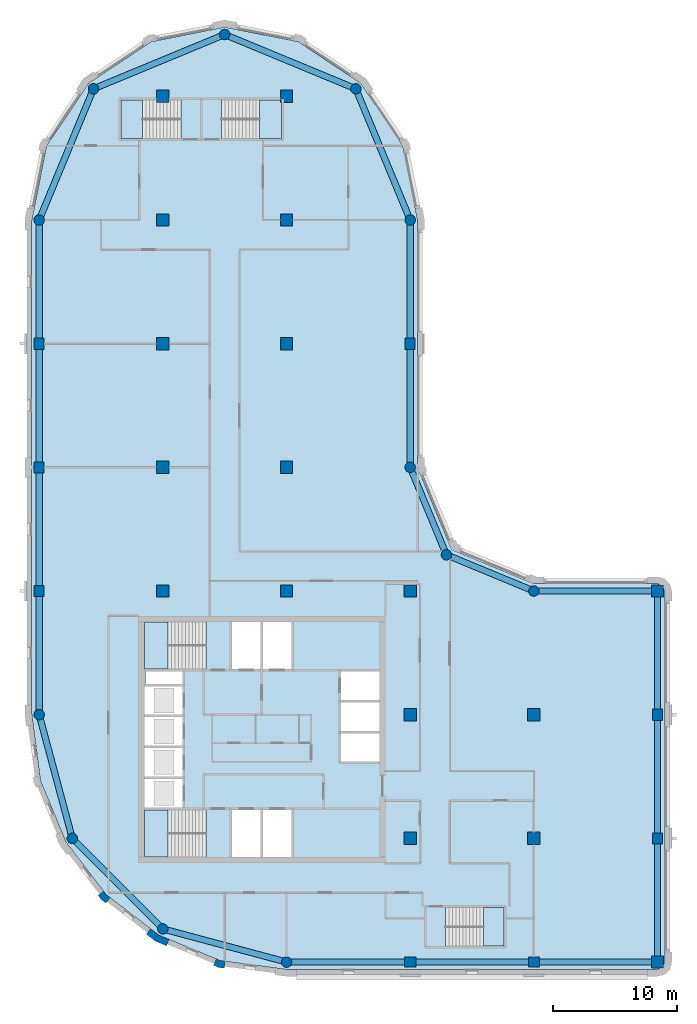
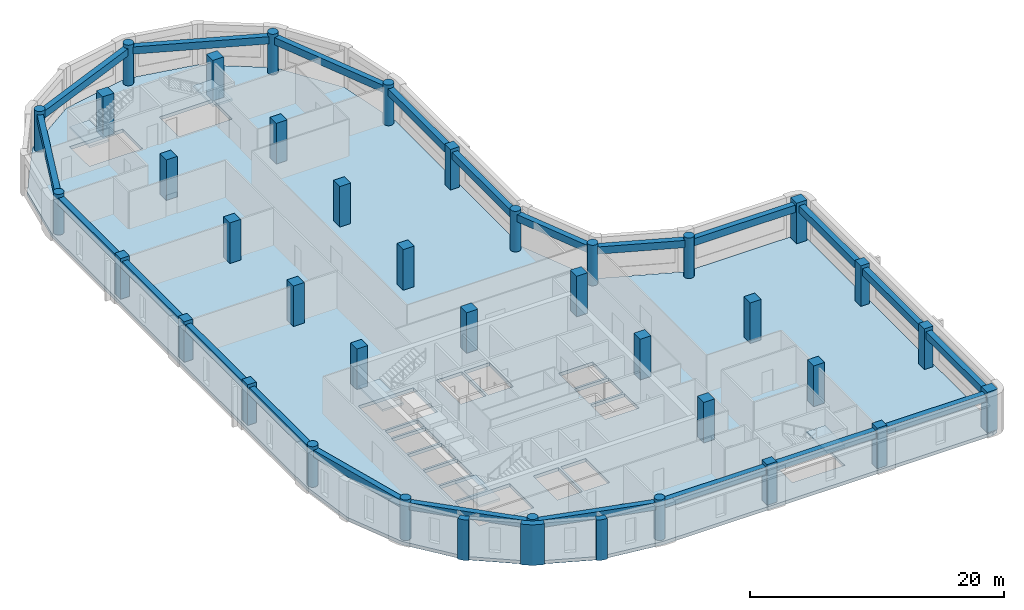
# One storey, part 1 of 9: 37 columns, 22 beams, 6 slabs, 3 walls, 5 elements without a shape of their own.
"""IFC4 building model written with IfcOpenShell, lengths in metres."""

from ifc_helpers import new_model, si_unit, direction, frame, origin, origin_2d, place, context, subcontext, project, spatial, polyline, rectangle, circle, outline, extrude, material, layer, layer_set, material_profile, profile_set, type_object, element, aggregate, save


model = new_model("IFC4")

# Units and contexts
model_context = context("Model", 3, precision=1e-05, world=origin(), true_north=direction((0.0, 1.0)))
body_context = subcontext(model_context, "Body", "Model", "MODEL_VIEW")
ifc_project = project(units=[si_unit("LENGTHUNIT", "METRE"), si_unit("AREAUNIT", "SQUARE_METRE"), si_unit("VOLUMEUNIT", "CUBIC_METRE"), si_unit("PLANEANGLEUNIT", "RADIAN"), si_unit("MASSUNIT", "GRAM", prefix="KILO")], contexts=[model_context])

# Site, building, storey
site_placement = place(None, origin())
site = spatial("IfcSite", under=ifc_project, at=site_placement, CompositionType="ELEMENT")
building_placement = place(site_placement, origin())
building = spatial("IfcBuilding", under=site, at=building_placement, Name="Qaws Garden Tower", CompositionType="ELEMENT")
storey_placement = place(building_placement, frame((0.0, 0.0, 251.39990234375)))
storey = spatial("IfcBuildingStorey", under=building, at=storey_placement, Name="L60", CompositionType="ELEMENT", Elevation=251.39990234375)

# Columns
ifc_material_1 = material(Name="Concrete C60", Category="concrete")
ifc_material_profile_1 = material_profile(ifc_material_1, rectangle(XDim=1.0, YDim=1.0, at=origin_2d()), Name="RC 1000x1000")
ifc_profile_set_1 = profile_set([ifc_material_profile_1], Name="Concrete C60")
column_type_1 = type_object("IfcColumnType", Name="Column RC 1000x1000 C60", PredefinedType="COLUMN", material=ifc_profile_set_1)
for number, where, z_axis, x_axis, name in (
    (1, (10.0, 30.0, 0.0), (0.0, 0.0, 1.0), (1.0, 0.0, 0.0), "Column L60-023"),
    (2, (10.0, 40.0, 0.0), (0.0, 0.0, 1.0), (1.0, 0.0, 0.0), "Column L60-024"),
    (3, (10.0, 50.0, 0.0), (0.0, 0.0, 1.0), (1.0, 0.0, 0.0), "Column L60-025"),
    (4, (10.0, 60.0, 0.0), (0.0, 0.0, 1.0), (1.0, 0.0, 0.0), "Column L60-026"),
    (5, (10.0, 70.0, 0.0), (0.0, 0.0, 1.0), (1.0, 0.0, 0.0), "Column L60-027"),
    (6, (20.0, 30.0, 0.0), (0.0, 0.0, 1.0), (1.0, 0.0, 0.0), "Column L60-028"),
    (7, (20.0, 40.0, 0.0), (0.0, 0.0, 1.0), (1.0, 0.0, 0.0), "Column L60-029"),
    (8, (20.0, 50.0, 0.0), (0.0, 0.0, 1.0), (1.0, 0.0, 0.0), "Column L60-030"),
    (9, (20.0, 60.0, 0.0), (0.0, 0.0, 1.0), (1.0, 0.0, 0.0), "Column L60-031"),
    (10, (20.0, 70.0, 0.0), (0.0, 0.0, 1.0), (1.0, 0.0, 0.0), "Column L60-032"),
    (11, (30.0, 10.0, 0.0), (0.0, 0.0, 1.0), (1.0, 0.0, 0.0), "Column L60-033"),
    (12, (30.0, 20.0, 0.0), (0.0, 0.0, 1.0), (1.0, 0.0, 0.0), "Column L60-034"),
    (13, (30.0, 30.0, 0.0), (0.0, 0.0, 1.0), (1.0, 0.0, 0.0), "Column L60-035"),
    (14, (40.0, 10.0, 0.0), (0.0, 0.0, 1.0), (1.0, 0.0, 0.0), "Column L60-036"),
    (15, (40.0, 20.0, 0.0), (0.0, 0.0, 1.0), (1.0, 0.0, 0.0), "Column L60-037"),
):
    element("IfcColumn", number, at=place(storey_placement, frame(where, z_axis=z_axis, x_axis=x_axis)), inside=storey, type_object=column_type_1, Name=name, PredefinedType="COLUMN", context=body_context, shape_type="SweptSolid", body=[
        extrude(rectangle(XDim=1.0, YDim=1.0, at=origin_2d()), origin(), (0.0, 0.0, 1.0), 3.900146484375),
    ])
ifc_material_2 = material(Name="Concrete C60", Category="concrete")
ifc_material_profile_2 = material_profile(ifc_material_2, rectangle(XDim=0.89990234375, YDim=0.800048828125, at=origin_2d()), Name="RC 900x800")
ifc_profile_set_2 = profile_set([ifc_material_profile_2], Name="Concrete C60")
column_type_2 = type_object("IfcColumnType", Name="Column RC 900x800 C60", PredefinedType="COLUMN", material=ifc_profile_set_2)
for number, where, z_axis, x_axis, name in (
    (16, (30.0, 0.0, 0.0), (0.0, 0.0, 1.0), (1.0, 0.0, 0.0), "Column L60-002"),
    (17, (40.0, 0.0, 0.0), (0.0, 0.0, 1.0), (1.0, 0.0, 0.0), "Column L60-003"),
    (18, (50.0, 10.0, 0.0), (0.0, 0.0, 1.0), (0.0, 1.0, 0.0), "Column L60-005"),
    (19, (50.0, 20.0, 0.0), (0.0, 0.0, 1.0), (0.0, 1.0, 0.0), "Column L60-006"),
    (20, (30.0, 50.0, 0.0), (0.0, 0.0, 1.0), (0.0, 1.0, 0.0), "Column L60-011"),
    (21, (0.0, 50.0, 0.0), (0.0, 0.0, 1.0), (0.0, 1.0, 0.0), "Column L60-017"),
    (22, (0.0, 40.0, 0.0), (0.0, 0.0, 1.0), (0.0, 1.0, 0.0), "Column L60-018"),
    (23, (0.0, 30.0, 0.0), (0.0, 0.0, 1.0), (0.0, 1.0, 0.0), "Column L60-019"),
):
    element("IfcColumn", number, at=place(storey_placement, frame(where, z_axis=z_axis, x_axis=x_axis)), inside=storey, type_object=column_type_2, Name=name, PredefinedType="COLUMN", context=body_context, shape_type="SweptSolid", body=[
        extrude(rectangle(XDim=0.89990234375, YDim=0.800048828125, at=origin_2d()), origin(), (0.0, 0.0, 1.0), 3.900146484375),
    ])
ifc_material_3 = material(Name="Concrete C60", Category="concrete")
ifc_material_profile_3 = material_profile(ifc_material_3, rectangle(XDim=0.949951171875, YDim=0.949951171875, at=origin_2d()), Name="RC 950x950")
ifc_profile_set_3 = profile_set([ifc_material_profile_3], Name="Concrete C60")
column_type_3 = type_object("IfcColumnType", Name="Column RC 950x950 C60", PredefinedType="COLUMN", material=ifc_profile_set_3)
for number, where, z_axis, x_axis, name in (
    (24, (50.0, 0.0, 0.0), (0.0, 0.0, 1.0), (1.0, 0.0, 0.0), "Column L60-004"),
    (25, (50.0, 30.0, 0.0), (0.0, 0.0, 1.0), (1.0, 0.0, 0.0), "Column L60-007"),
):
    element("IfcColumn", number, at=place(storey_placement, frame(where, z_axis=z_axis, x_axis=x_axis)), inside=storey, type_object=column_type_3, Name=name, PredefinedType="COLUMN", context=body_context, shape_type="SweptSolid", body=[
        extrude(rectangle(XDim=0.949951171875, YDim=0.949951171875, at=origin_2d()), origin(), (0.0, 0.0, 1.0), 3.900146484375),
    ])
ifc_material_4 = material(Name="Concrete C60", Category="concrete")
ifc_material_profile_4 = material_profile(ifc_material_4, circle(Radius=0.425048828125, at=origin_2d()), Name="RC D850")
ifc_profile_set_4 = profile_set([ifc_material_profile_4], Name="Concrete C60")
column_type_4 = type_object("IfcColumnType", Name="Column RC D850 C60", PredefinedType="COLUMN", material=ifc_profile_set_4)
for number, where, z_axis, x_axis, name in (
    (26, (20.0, 0.0, 0.0), (0.0, 0.0, 1.0), (1.0, 0.0, 0.0), "Column L60-001"),
    (27, (40.0, 30.0, 0.0), (0.0, 0.0, 1.0), (1.0, 0.0, 0.0), "Column L60-008"),
    (28, (32.928955078125, 32.928955078125, 0.0), (0.0, 0.0, 1.0), (1.0, 0.0, 0.0), "Column L60-009"),
    (29, (30.0, 40.0, 0.0), (0.0, 0.0, 1.0), (1.0, 0.0, 0.0), "Column L60-010"),
    (30, (30.0, 60.0, 0.0), (0.0, 0.0, 1.0), (1.0, 0.0, 0.0), "Column L60-012"),
    (31, (25.606689453125, 70.606689453125, 0.0), (0.0, 0.0, 1.0), (1.0, 0.0, 0.0), "Column L60-013"),
    (32, (15.0, 75.0, 0.0), (0.0, 0.0, 1.0), (1.0, 0.0, 0.0), "Column L60-014"),
    (33, (4.393310546875, 70.606689453125, 0.0), (0.0, 0.0, 1.0), (1.0, 0.0, 0.0), "Column L60-015"),
    (34, (0.0, 60.0, 0.0), (0.0, 0.0, 1.0), (1.0, 0.0, 0.0), "Column L60-016"),
    (35, (0.0, 20.0, 0.0), (0.0, 0.0, 1.0), (1.0, 0.0, 0.0), "Column L60-020"),
    (36, (2.679443359375, 10.0, 0.0), (0.0, 0.0, 1.0), (1.0, 0.0, 0.0), "Column L60-021"),
    (37, (10.0, 2.679443359375, 0.0), (0.0, 0.0, 1.0), (1.0, 0.0, 0.0), "Column L60-022"),
):
    element("IfcColumn", number, at=place(storey_placement, frame(where, z_axis=z_axis, x_axis=x_axis)), inside=storey, type_object=column_type_4, Name=name, PredefinedType="COLUMN", context=body_context, shape_type="SweptSolid", body=[
        extrude(circle(Radius=0.425048828125, at=origin_2d()), origin(), (0.0, 0.0, 1.0), 3.900146484375),
    ])

# Beams
ifc_material_5 = material(Name="Concrete C45", Category="concrete")
ifc_material_profile_5 = material_profile(ifc_material_5, rectangle(XDim=0.5, YDim=0.699951171875, at=origin_2d()), Name="RC 500x700")
ifc_profile_set_5 = profile_set([ifc_material_profile_5], Name="Concrete C45")
beam_type = type_object("IfcBeamType", Name="Spandrel beam RC 500x700 C45", PredefinedType="SPANDREL", material=ifc_profile_set_5)
for number, where, z_axis, x_axis, name in (
    (38, (20.0, 0.0, 3.22998046875), (1.0, 0.0, 0.0), (0.0, 1.0, 0.0), "Spandrel beam L60-001"),
    (39, (30.0, 0.0, 3.22998046875), (1.0, 0.0, 0.0), (0.0, 1.0, 0.0), "Spandrel beam L60-002"),
    (40, (40.0, 0.0, 3.22998046875), (1.0, 0.0, 0.0), (0.0, 1.0, 0.0), "Spandrel beam L60-003"),
    (41, (50.0, 0.0, 3.22998046875), (0.0, 1.0, 0.0), (-1.0, 0.0, 0.0), "Spandrel beam L60-004"),
    (42, (50.0, 10.0, 3.22998046875), (0.0, 1.0, 0.0), (-1.0, 0.0, 0.0), "Spandrel beam L60-005"),
    (43, (50.0, 20.0, 3.22998046875), (0.0, 1.0, 0.0), (-1.0, 0.0, 0.0), "Spandrel beam L60-006"),
    (44, (50.0, 30.0, 3.22998046875), (-1.0, 0.0, 0.0), (0.0, -1.0, 0.0), "Spandrel beam L60-007"),
):
    element("IfcBeam", number, at=place(storey_placement, frame(where, z_axis=z_axis, x_axis=x_axis)), inside=storey, type_object=beam_type, Name=name, PredefinedType="SPANDREL", context=body_context, shape_type="SweptSolid", body=[
        extrude(rectangle(XDim=0.5, YDim=0.699951171875, at=origin_2d()), origin(), (0.0, 0.0, 1.0), 10.0),
    ])
for number, where, z_axis, x_axis, name in (
    (45, (40.0, 30.0, 3.22998046875), (-0.923878037141, 0.382687042488, 0.0), (-0.382687042488, -0.923878037141, 0.0), "Spandrel beam L60-008"),
    (46, (32.928955078125, 32.928955078125, 3.22998046875), (-0.382687042488, 0.923878037141, 0.0), (-0.923878037141, -0.382687042488, 0.0), "Spandrel beam L60-009"),
):
    element("IfcBeam", number, at=place(storey_placement, frame(where, z_axis=z_axis, x_axis=x_axis)), inside=storey, type_object=beam_type, Name=name, PredefinedType="SPANDREL", context=body_context, shape_type="SweptSolid", body=[
        extrude(rectangle(XDim=0.5, YDim=0.699951171875, at=origin_2d()), origin(), (0.0, 0.0, 1.0), 7.653564453125),
    ])
for number, where, z_axis, x_axis, name in (
    (47, (30.0, 40.0, 3.22998046875), (0.0, 1.0, 0.0), (-1.0, 0.0, 0.0), "Spandrel beam L60-010"),
    (48, (30.0, 50.0, 3.22998046875), (0.0, 1.0, 0.0), (-1.0, 0.0, 0.0), "Spandrel beam L60-011"),
):
    element("IfcBeam", number, at=place(storey_placement, frame(where, z_axis=z_axis, x_axis=x_axis)), inside=storey, type_object=beam_type, Name=name, PredefinedType="SPANDREL", context=body_context, shape_type="SweptSolid", body=[
        extrude(rectangle(XDim=0.5, YDim=0.699951171875, at=origin_2d()), origin(), (0.0, 0.0, 1.0), 10.0),
    ])
for number, where, z_axis, x_axis, name in (
    (49, (30.0, 60.0, 3.22998046875), (-0.382674207535, 0.923883353507, 0.0), (-0.923883353507, -0.382674207535, 0.0), "Spandrel beam L60-012"),
    (50, (25.606689453125, 70.606689453125, 3.22998046875), (-0.923883353507, 0.382674207535, 0.0), (-0.382674207535, -0.923883353507, 0.0), "Spandrel beam L60-013"),
    (51, (15.0, 75.0, 3.22998046875), (-0.923883353507, -0.382674207535, 0.0), (0.382674207535, -0.923883353507, 0.0), "Spandrel beam L60-014"),
    (52, (4.393310546875, 70.606689453125, 3.22998046875), (-0.382674207535, -0.923883353507, 0.0), (0.923883353507, -0.382674207535, 0.0), "Spandrel beam L60-015"),
):
    element("IfcBeam", number, at=place(storey_placement, frame(where, z_axis=z_axis, x_axis=x_axis)), inside=storey, type_object=beam_type, Name=name, PredefinedType="SPANDREL", context=body_context, shape_type="SweptSolid", body=[
        extrude(rectangle(XDim=0.5, YDim=0.699951171875, at=origin_2d()), origin(), (0.0, 0.0, 1.0), 11.48046875),
    ])
for number, where, z_axis, x_axis, name in (
    (53, (0.0, 60.0, 3.22998046875), (0.0, -1.0, 0.0), (1.0, 0.0, 0.0), "Spandrel beam L60-016"),
    (54, (0.0, 50.0, 3.22998046875), (0.0, -1.0, 0.0), (1.0, 0.0, 0.0), "Spandrel beam L60-017"),
    (55, (0.0, 40.0, 3.22998046875), (0.0, -1.0, 0.0), (1.0, 0.0, 0.0), "Spandrel beam L60-018"),
    (56, (0.0, 30.0, 3.22998046875), (0.0, -1.0, 0.0), (1.0, 0.0, 0.0), "Spandrel beam L60-019"),
):
    element("IfcBeam", number, at=place(storey_placement, frame(where, z_axis=z_axis, x_axis=x_axis)), inside=storey, type_object=beam_type, Name=name, PredefinedType="SPANDREL", context=body_context, shape_type="SweptSolid", body=[
        extrude(rectangle(XDim=0.5, YDim=0.699951171875, at=origin_2d()), origin(), (0.0, 0.0, 1.0), 10.0),
    ])
for number, where, z_axis, x_axis, name in (
    (57, (0.0, 20.0, 3.22998046875), (0.25881466832, -0.965926999034, 0.0), (0.965926999034, 0.25881466832, 0.0), "Spandrel beam L60-020"),
    (58, (2.679443359375, 10.0, 3.22998046875), (0.707106781187, -0.707106781187, 0.0), (0.707106781187, 0.707106781187, 0.0), "Spandrel beam L60-021"),
    (59, (10.0, 2.679443359375, 3.22998046875), (0.965926999034, -0.25881466832, 0.0), (0.25881466832, 0.965926999034, 0.0), "Spandrel beam L60-022"),
):
    element("IfcBeam", number, at=place(storey_placement, frame(where, z_axis=z_axis, x_axis=x_axis)), inside=storey, type_object=beam_type, Name=name, PredefinedType="SPANDREL", context=body_context, shape_type="SweptSolid", body=[
        extrude(rectangle(XDim=0.5, YDim=0.699951171875, at=origin_2d()), origin(), (0.0, 0.0, 1.0), 10.352783203125),
    ])

# Slab
ifc_material_6 = material(Name="Concrete C40", Category="concrete")
ifc_layer_1 = layer(ifc_material_6, 0.320068359375)
ifc_layer_set_1 = layer_set([ifc_layer_1], Name="Concrete C40")
slab_type_1 = type_object("IfcSlabType", Name="Floor slab 320 C40", PredefinedType="FLOOR", material=ifc_layer_set_1)
slab_1_placement = place(storey_placement, frame((0.0, 0.0, -0.31982421875)))
element("IfcSlab", 60, at=slab_1_placement, inside=storey, type_object=slab_type_1, Name="Floor slab L60", PredefinedType="FLOOR", context=body_context, shape_type="SweptSolid", body=[
    extrude(outline(polyline([(0.101806640625, 14.668212890625), (-0.60009765625, 20.0), (-0.60009765625, 30.60009765625), (-0.60009765625, 60.0), (-0.60009765625, 60.0), (0.58740234375, 65.969970703125), (3.968994140625, 71.031005859375), (9.030029296875, 74.41259765625), (15.0, 75.60009765625), (20.969970703125, 74.41259765625), (26.031005859375, 71.031005859375), (29.41259765625, 65.969970703125), (30.60009765625, 60.0), (30.60009765625, 40.0), (33.353271484375, 33.353271484375), (40.0, 30.60009765625), (50.0, 30.60009765625), (50.42431640625, 30.42431640625), (50.60009765625, 30.0), (50.60009765625, 0.0), (50.42431640625, -0.42431640625), (50.0, -0.60009765625), (30.60009765625, -0.60009765625), (20.0, -0.60009765625), (14.668212890625, 0.101806640625), (9.699951171875, 2.159912109375), (5.43359375, 5.43359375), (2.159912109375, 9.699951171875), (0.101806640625, 14.668212890625)]), holes=[polyline([(13.49951171875, 12.300048828125), (8.5, 12.300048828125), (8.5, 8.5), (13.49951171875, 8.5), (13.49951171875, 12.300048828125)]), polyline([(17.89990234375, 12.300048828125), (15.60009765625, 12.300048828125), (15.60009765625, 8.5), (17.89990234375, 8.5), (17.89990234375, 12.300048828125)]), polyline([(11.60009765625, 14.800048828125), (8.5, 14.800048828125), (8.5, 12.5), (11.60009765625, 12.5), (11.60009765625, 14.800048828125)]), polyline([(11.60009765625, 17.300048828125), (8.5, 17.300048828125), (8.5, 15.0), (11.60009765625, 15.0), (11.60009765625, 17.300048828125)]), polyline([(11.60009765625, 19.800048828125), (8.5, 19.800048828125), (8.5, 17.5), (11.60009765625, 17.5), (11.60009765625, 19.800048828125)]), polyline([(11.60009765625, 22.300048828125), (8.5, 22.300048828125), (8.5, 20.0), (11.60009765625, 20.0), (11.60009765625, 22.300048828125)]), polyline([(11.60009765625, 23.5), (8.60009765625, 23.5), (8.60009765625, 22.5), (11.60009765625, 22.5), (11.60009765625, 23.5)]), polyline([(13.49951171875, 27.5), (8.5, 27.5), (8.5, 23.699951171875), (13.49951171875, 23.699951171875), (13.49951171875, 27.5)]), polyline([(11.449462890625, 69.699951171875), (6.60009765625, 69.699951171875), (6.60009765625, 66.60009765625), (11.449462890625, 66.60009765625), (11.449462890625, 69.699951171875)]), polyline([(37.60009765625, 4.39990234375), (32.8505859375, 4.39990234375), (32.8505859375, 1.300048828125), (37.60009765625, 1.300048828125), (37.60009765625, 4.39990234375)]), polyline([(20.39990234375, 12.300048828125), (18.10009765625, 12.300048828125), (18.10009765625, 8.5), (20.39990234375, 8.5), (20.39990234375, 12.300048828125)]), polyline([(27.5, 18.5), (24.39990234375, 18.5), (24.39990234375, 16.199951171875), (27.5, 16.199951171875), (27.5, 18.5)]), polyline([(27.5, 21.0), (24.39990234375, 21.0), (24.39990234375, 18.699951171875), (27.5, 18.699951171875), (27.5, 21.0)]), polyline([(27.5, 23.5), (24.39990234375, 23.5), (24.39990234375, 21.199951171875), (27.5, 21.199951171875), (27.5, 23.5)]), polyline([(17.89990234375, 27.5), (15.60009765625, 27.5), (15.60009765625, 23.699951171875), (17.89990234375, 23.699951171875), (17.89990234375, 27.5)]), polyline([(20.39990234375, 23.699951171875), (20.39990234375, 27.5), (18.10009765625, 27.5), (18.10009765625, 23.699951171875), (20.39990234375, 23.699951171875)]), polyline([(19.60009765625, 66.60009765625), (19.60009765625, 69.699951171875), (14.75048828125, 69.699951171875), (14.75048828125, 66.60009765625), (19.60009765625, 66.60009765625)])]), origin(), (0.0, 0.0, 1.0), 0.31982421875),
])

# Stair, slab
ifc_material_7 = material(Name="Concrete C40", Category="concrete")
stair_type_1 = type_object("IfcStairType", Name="Exit stair 1500", PredefinedType="HALF_TURN_STAIR", material=ifc_material_7)
placement_1 = place(storey_placement, origin())
stair_1 = element("IfcStair", 61, at=placement_1, inside=storey, type_object=stair_type_1, Name="Stair 1", PredefinedType="HALF_TURN_STAIR")
ifc_material_8 = material(Name="Concrete C40", Category="concrete")
ifc_layer_2 = layer(ifc_material_8, 0.199951171875)
ifc_layer_set_2 = layer_set([ifc_layer_2], Name="Concrete C40")
slab_type_2 = type_object("IfcSlabType", Name="Stair landing 200", PredefinedType="LANDING", material=ifc_layer_set_2)
placement_2 = place(storey_placement, frame((0.0, 0.0, 1.75)))
slab_2 = element("IfcSlab", 62, at=placement_2, type_object=slab_type_2, Name="ST1 landing 1", PredefinedType="LANDING", context=body_context, shape_type="SweptSolid", body=[
    extrude(outline(polyline([(8.5, 8.5), (10.419921875, 8.5), (10.419921875, 12.300048828125), (8.5, 12.300048828125), (8.5, 8.5)])), origin(), (0.0, 0.0, 1.0), 0.2001953125),
])
aggregate(stair_1, [slab_2])

stair_2 = element("IfcStair", 63, at=placement_1, inside=storey, type_object=stair_type_1, Name="Stair 4", PredefinedType="HALF_TURN_STAIR")
slab_3 = element("IfcSlab", 64, at=placement_2, type_object=slab_type_2, Name="ST4 landing 1", PredefinedType="LANDING", context=body_context, shape_type="SweptSolid", body=[
    extrude(outline(polyline([(8.5, 23.699951171875), (10.419921875, 23.699951171875), (10.419921875, 27.5), (8.5, 27.5), (8.5, 23.699951171875)])), origin(), (0.0, 0.0, 1.0), 0.2001953125),
])
aggregate(stair_2, [slab_3])

ifc_material_9 = material(Name="Concrete C40", Category="concrete")
stair_type_2 = type_object("IfcStairType", Name="Exit stair 1350", PredefinedType="HALF_TURN_STAIR", material=ifc_material_9)
stair_3 = element("IfcStair", 65, at=placement_1, inside=storey, type_object=stair_type_2, Name="Stair 5", PredefinedType="HALF_TURN_STAIR")
slab_4 = element("IfcSlab", 66, at=placement_2, type_object=slab_type_2, Name="ST5 landing 1", PredefinedType="LANDING", context=body_context, shape_type="SweptSolid", body=[
    extrude(outline(polyline([(35.929931640625, 1.300048828125), (37.60009765625, 1.300048828125), (37.60009765625, 4.39990234375), (35.929931640625, 4.39990234375), (35.929931640625, 1.300048828125)])), origin(), (0.0, 0.0, 1.0), 0.2001953125),
])
aggregate(stair_3, [slab_4])

stair_4 = element("IfcStair", 67, at=placement_1, inside=storey, type_object=stair_type_2, Name="Stair 6", PredefinedType="HALF_TURN_STAIR")
slab_5 = element("IfcSlab", 68, at=placement_2, type_object=slab_type_2, Name="ST6 landing 1", PredefinedType="LANDING", context=body_context, shape_type="SweptSolid", body=[
    extrude(outline(polyline([(6.60009765625, 66.60009765625), (8.3701171875, 66.60009765625), (8.3701171875, 69.699951171875), (6.60009765625, 69.699951171875), (6.60009765625, 66.60009765625)])), origin(), (0.0, 0.0, 1.0), 0.2001953125),
])
aggregate(stair_4, [slab_5])

stair_5 = element("IfcStair", 69, at=placement_1, inside=storey, type_object=stair_type_2, Name="Stair 7", PredefinedType="HALF_TURN_STAIR")
slab_6 = element("IfcSlab", 70, at=placement_2, type_object=slab_type_2, Name="ST7 landing 1", PredefinedType="LANDING", context=body_context, shape_type="SweptSolid", body=[
    extrude(outline(polyline([(17.830078125, 66.60009765625), (19.60009765625, 66.60009765625), (19.60009765625, 69.699951171875), (17.830078125, 69.699951171875), (17.830078125, 66.60009765625)])), origin(), (0.0, 0.0, 1.0), 0.2001953125),
])
aggregate(stair_5, [slab_6])

# Walls
ifc_material_10 = material(Name="Clay facing brick masonry", Category="masonry")
ifc_layer_3 = layer(ifc_material_10, 0.550048828125)
ifc_layer_set_3 = layer_set([ifc_layer_3], Name="Clay facing brick masonry")
wall_type_1 = type_object("IfcWallType", Name="Brick kink pier 550 x 600", PredefinedType="SOLIDWALL", material=ifc_layer_set_3)
element("IfcWall", 71, at=placement_1, inside=storey, type_object=wall_type_1, Name="E-L60-pier-26", PredefinedType="SOLIDWALL", context=body_context, shape_type="SweptSolid", body=[
    extrude(outline(polyline([(4.8818359375, 5.487060546875), (4.762939453125, 5.395751953125), (5.03759765625, 5.03759765625), (5.395751953125, 4.762939453125), (5.487060546875, 4.8818359375), (5.730712890625, 5.19921875), (5.429931640625, 5.429931640625), (5.19921875, 5.730712890625), (4.8818359375, 5.487060546875)])), origin(), (0.0, 0.0, 1.0), 3.900146484375),
])
element("IfcWall", 72, at=placement_1, inside=storey, type_object=wall_type_1, Name="E-L60-pier-28", PredefinedType="SOLIDWALL", context=body_context, shape_type="SweptSolid", body=[
    extrude(outline(polyline([(14.163818359375, -0.127685546875), (14.1064453125, -0.26611328125), (14.5234375, -0.43896484375), (14.970947265625, -0.497802734375), (14.990478515625, -0.34912109375), (15.042724609375, 0.04736328125), (14.6669921875, 0.096923828125), (14.31689453125, 0.241943359375), (14.163818359375, -0.127685546875)])), origin(), (0.0, 0.0, 1.0), 3.900146484375),
])
ifc_material_11 = material(Name="Clay facing brick masonry", Category="masonry")
ifc_layer_4 = layer(ifc_material_11, 0.550048828125)
ifc_layer_set_4 = layer_set([ifc_layer_4], Name="Clay facing brick masonry")
wall_type_2 = type_object("IfcWallType", Name="Brick pier 550 x 1600", PredefinedType="SOLIDWALL", material=ifc_layer_set_4)
element("IfcWall", 73, at=placement_1, inside=storey, type_object=wall_type_2, Name="E-L60-pier-27", PredefinedType="SOLIDWALL", context=body_context, shape_type="SweptSolid", body=[
    extrude(outline(polyline([(8.756591796875, 2.373046875), (8.665283203125, 2.254150390625), (9.419921875, 1.675048828125), (10.299072265625, 1.310791015625), (10.3564453125, 1.449462890625), (10.509521484375, 1.819091796875), (9.697509765625, 2.1552734375), (9.0, 2.6904296875), (8.756591796875, 2.373046875)])), origin(), (0.0, 0.0, 1.0), 3.900146484375),
])

save(model, "model.ifc")
